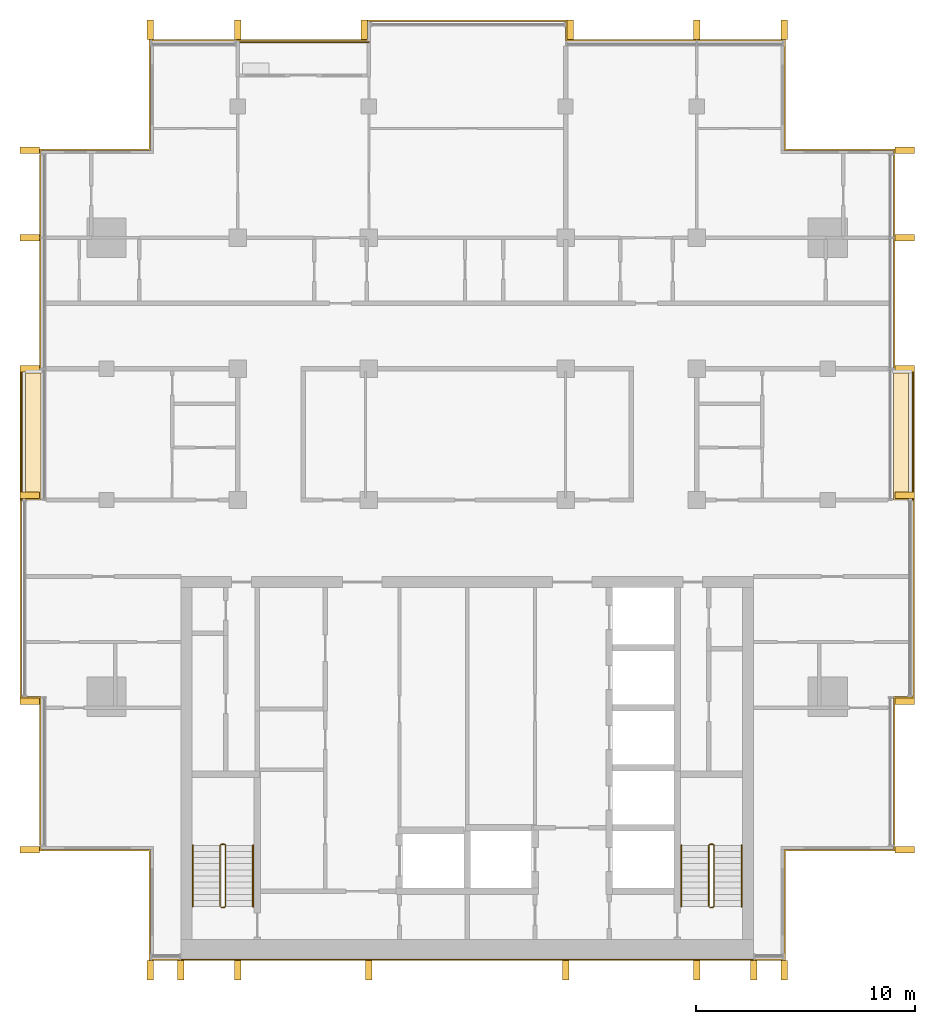
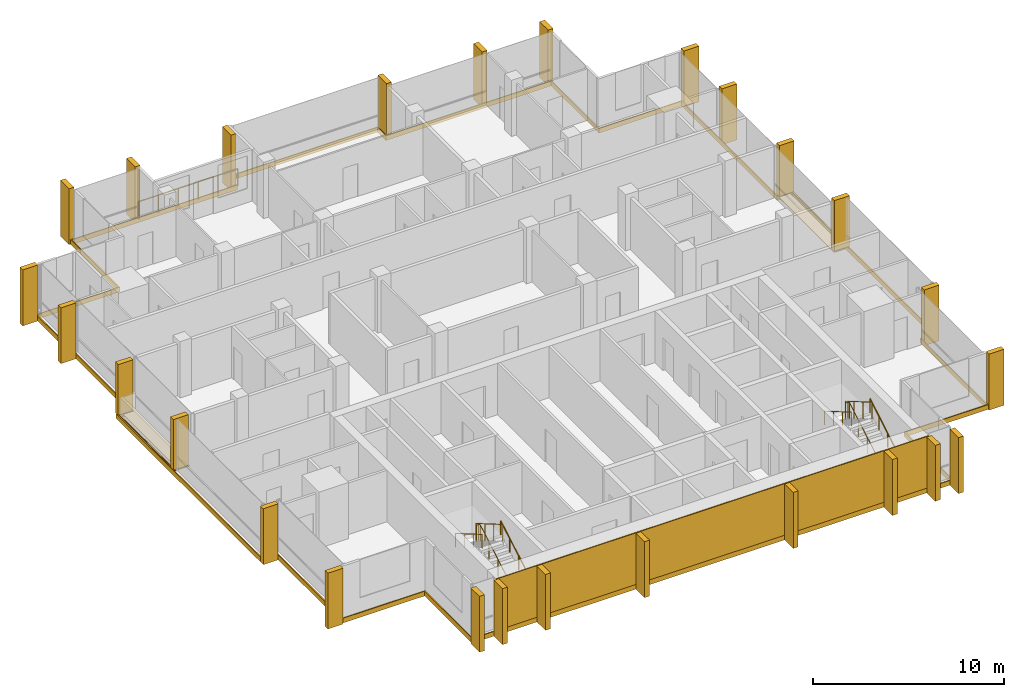
# One storey, part 16 of 16: 26 shading devices, 10 coverings, 7 railings.
"""IFC4 building model written with IfcOpenShell, lengths in metres."""

from ifc_helpers import new_model, si_unit, direction, frame, origin, origin_2d, place, context, subcontext, project, spatial, polyline, rectangle, circle, outline, extrude, material, layer, layer_set, type_object, element, save


model = new_model("IFC4")

# Units and contexts
model_context = context("Model", 3, precision=1e-05, world=origin(), true_north=direction((0.0, 1.0)))
body_context = subcontext(model_context, "Body", "Model", "MODEL_VIEW")
ifc_project = project(units=[si_unit("LENGTHUNIT", "METRE"), si_unit("AREAUNIT", "SQUARE_METRE"), si_unit("VOLUMEUNIT", "CUBIC_METRE"), si_unit("PLANEANGLEUNIT", "RADIAN"), si_unit("MASSUNIT", "GRAM", prefix="KILO")], contexts=[model_context])

# Site, building, storey
site_placement = place(None, origin())
site = spatial("IfcSite", under=ifc_project, at=site_placement, CompositionType="ELEMENT")
building_placement = place(site_placement, origin())
building = spatial("IfcBuilding", under=site, at=building_placement, Name="Finial Court Residences", CompositionType="ELEMENT")
storey_placement = place(building_placement, frame((0.0, 0.0, 277.10009765625)))
storey = spatial("IfcBuildingStorey", under=building, at=storey_placement, Name="L70", CompositionType="ELEMENT", Elevation=277.10009765625)

# Railing
ifc_material_1 = material(Name="Bronze anodised aluminium", Category="aluminium")
railing_type_1 = type_object("IfcRailingType", Name="Balcony guard 1100", PredefinedType="GUARDRAIL", material=ifc_material_1)
railing_1_placement = place(storey_placement, frame((-10.5, 16.449951171875, 0.0)))
element("IfcRailing", 1, at=railing_1_placement, inside=storey, type_object=railing_type_1, Name="E-L70-BALN2-R", PredefinedType="GUARDRAIL", context=body_context, shape_type="SweptSolid", body=[
    extrude(circle(Radius=0.02392578125, at=origin_2d()), frame((0.0, 0.0, 1.076171875), z_axis=(1.0, 0.0, 0.0), x_axis=(0.0, 1.0, 0.0)), (0.0, 0.0, 1.0), 6.0),
    extrude(circle(Radius=0.02099609375, at=origin_2d()), origin(), (0.0, 0.0, 1.0), 1.052001953125),
    extrude(circle(Radius=0.02099609375, at=origin_2d()), frame((1.199951171875, 0.0, 0.0)), (0.0, 0.0, 1.0), 1.052001953125),
    extrude(circle(Radius=0.02099609375, at=origin_2d()), frame((2.39990234375, 0.0, 0.0)), (0.0, 0.0, 1.0), 1.052001953125),
    extrude(circle(Radius=0.02099609375, at=origin_2d()), frame((3.60009765625, 0.0, 0.0)), (0.0, 0.0, 1.0), 1.052001953125),
    extrude(circle(Radius=0.02099609375, at=origin_2d()), frame((4.800048828125, 0.0, 0.0)), (0.0, 0.0, 1.0), 1.052001953125),
    extrude(circle(Radius=0.02099609375, at=origin_2d()), frame((6.0, 0.0, 0.0)), (0.0, 0.0, 1.0), 1.052001953125),
])

# Coverings
ifc_material_2 = material(Name="Natural limestone", Category="masonry")
ifc_layer_1 = layer(ifc_material_2, 0.06005859375)
ifc_layer_set_1 = layer_set([ifc_layer_1], Name="Limestone cladding to the blind core face 60")
covering_type_1 = type_object("IfcCoveringType", Name="Limestone cladding to the blind core face 60", PredefinedType="CLADDING", material=ifc_layer_set_1)
covering_1_placement = place(storey_placement, origin())
element("IfcCovering", 2, at=covering_1_placement, inside=storey, type_object=covering_type_1, Name="E-L70-CLAD1", PredefinedType="CLADDING", context=body_context, shape_type="SweptSolid", body=[
    extrude(outline(polyline([(-10.5, -25.56005859375), (-10.5, -25.5), (-13.10009765625, -25.5), (-13.10009765625, -25.56005859375), (-10.5, -25.56005859375)])), origin(), (0.0, 0.0, 1.0), 3.2998046875),
])
covering_2_placement = place(storey_placement, origin())
element("IfcCovering", 3, at=covering_2_placement, inside=storey, type_object=covering_type_1, Name="E-L70-CLAD2", PredefinedType="CLADDING", context=body_context, shape_type="SweptSolid", body=[
    extrude(outline(polyline([(-4.5, -25.56005859375), (-4.5, -25.5), (-10.5, -25.5), (-10.5, -25.56005859375), (-4.5, -25.56005859375)])), origin(), (0.0, 0.0, 1.0), 3.2998046875),
])
covering_3_placement = place(storey_placement, origin())
element("IfcCovering", 4, at=covering_3_placement, inside=storey, type_object=covering_type_1, Name="E-L70-CLAD3", PredefinedType="CLADDING", context=body_context, shape_type="SweptSolid", body=[
    extrude(outline(polyline([(4.5, -25.56005859375), (4.5, -25.5), (-4.5, -25.5), (-4.5, -25.56005859375), (4.5, -25.56005859375)])), origin(), (0.0, 0.0, 1.0), 3.2998046875),
])
covering_4_placement = place(storey_placement, origin())
element("IfcCovering", 5, at=covering_4_placement, inside=storey, type_object=covering_type_1, Name="E-L70-CLAD4", PredefinedType="CLADDING", context=body_context, shape_type="SweptSolid", body=[
    extrude(outline(polyline([(10.5, -25.56005859375), (10.5, -25.5), (4.5, -25.5), (4.5, -25.56005859375), (10.5, -25.56005859375)])), origin(), (0.0, 0.0, 1.0), 3.2998046875),
])
covering_5_placement = place(storey_placement, origin())
element("IfcCovering", 6, at=covering_5_placement, inside=storey, type_object=covering_type_1, Name="E-L70-CLAD5", PredefinedType="CLADDING", context=body_context, shape_type="SweptSolid", body=[
    extrude(outline(polyline([(13.10009765625, -25.56005859375), (13.10009765625, -25.5), (10.5, -25.5), (10.5, -25.56005859375), (13.10009765625, -25.56005859375)])), origin(), (0.0, 0.0, 1.0), 3.2998046875),
])

# Shading devices
shading_device_type = type_object("IfcShadingDeviceType", Name="Limestone fin 300 x 900", PredefinedType="USERDEFINED", material=ifc_material_2)
for number, where, z_axis, x_axis, name in (
    (7, (-14.5, 17.010009765625, -0.300048828125), (0.0, 0.0, 1.0), (1.0, 0.0, 0.0), "E-L70-FIN-N1"),
    (8, (-10.5, 17.010009765625, -0.300048828125), (0.0, 0.0, 1.0), (1.0, 0.0, 0.0), "E-L70-FIN-N2"),
    (9, (-4.7099609375, 17.010009765625, -0.300048828125), (0.0, 0.0, 1.0), (1.0, 0.0, 0.0), "E-L70-FIN-N3"),
    (10, (4.7099609375, 17.010009765625, -0.300048828125), (0.0, 0.0, 1.0), (1.0, 0.0, 0.0), "E-L70-FIN-N4"),
    (11, (10.5, 17.010009765625, -0.300048828125), (0.0, 0.0, 1.0), (1.0, 0.0, 0.0), "E-L70-FIN-N5"),
    (12, (14.5, 17.010009765625, -0.300048828125), (0.0, 0.0, 1.0), (1.0, 0.0, 0.0), "E-L70-FIN-N6"),
):
    element("IfcShadingDevice", number, at=place(storey_placement, frame(where, z_axis=z_axis, x_axis=x_axis)), inside=storey, type_object=shading_device_type, Name=name, ObjectType="FIN", PredefinedType="USERDEFINED", context=body_context, shape_type="SweptSolid", body=[
        extrude(rectangle(XDim=0.300048828125, YDim=0.89990234375, at=origin_2d()), origin(), (0.0, 0.0, 1.0), 3.580078125),
    ])
for number, where, z_axis, x_axis, name in (
    (13, (20.010009765625, -20.5, -0.300048828125), (0.0, 0.0, 1.0), (1.0, 0.0, 0.0), "E-L70-FIN-E7"),
    (14, (20.010009765625, -13.7099609375, -0.300048828125), (0.0, 0.0, 1.0), (1.0, 0.0, 0.0), "E-L70-FIN-E8"),
):
    element("IfcShadingDevice", number, at=place(storey_placement, frame(where, z_axis=z_axis, x_axis=x_axis)), inside=storey, type_object=shading_device_type, Name=name, ObjectType="FIN", PredefinedType="USERDEFINED", context=body_context, shape_type="SweptSolid", body=[
        extrude(rectangle(XDim=0.89990234375, YDim=0.300048828125, at=origin_2d()), origin(), (0.0, 0.0, 1.0), 3.580078125),
    ])
for number, where, z_axis, x_axis, name in (
    (15, (20.010009765625, -4.2900390625, 0.0400390625), (0.0, 0.0, 1.0), (1.0, 0.0, 0.0), "E-L70-FIN-E9"),
    (16, (20.010009765625, 1.5, 0.0400390625), (0.0, 0.0, 1.0), (1.0, 0.0, 0.0), "E-L70-FIN-E10"),
):
    element("IfcShadingDevice", number, at=place(storey_placement, frame(where, z_axis=z_axis, x_axis=x_axis)), inside=storey, type_object=shading_device_type, Name=name, ObjectType="FIN", PredefinedType="USERDEFINED", context=body_context, shape_type="SweptSolid", body=[
        extrude(rectangle(XDim=0.89990234375, YDim=0.300048828125, at=origin_2d()), origin(), (0.0, 0.0, 1.0), 3.239990234375),
    ])
for number, where, z_axis, x_axis, name in (
    (17, (20.010009765625, 7.5, -0.300048828125), (0.0, 0.0, 1.0), (1.0, 0.0, 0.0), "E-L70-FIN-E11"),
    (18, (20.010009765625, 11.5, -0.300048828125), (0.0, 0.0, 1.0), (1.0, 0.0, 0.0), "E-L70-FIN-E12"),
):
    element("IfcShadingDevice", number, at=place(storey_placement, frame(where, z_axis=z_axis, x_axis=x_axis)), inside=storey, type_object=shading_device_type, Name=name, ObjectType="FIN", PredefinedType="USERDEFINED", context=body_context, shape_type="SweptSolid", body=[
        extrude(rectangle(XDim=0.89990234375, YDim=0.300048828125, at=origin_2d()), origin(), (0.0, 0.0, 1.0), 3.580078125),
    ])
for number, where, z_axis, x_axis, name in (
    (19, (-14.5, -26.010009765625, -0.300048828125), (0.0, 0.0, 1.0), (1.0, 0.0, 0.0), "E-L70-FIN-S13"),
    (20, (-13.10009765625, -26.010009765625, -0.300048828125), (0.0, 0.0, 1.0), (1.0, 0.0, 0.0), "E-L70-FIN-S14"),
    (21, (-10.5, -26.010009765625, -0.300048828125), (0.0, 0.0, 1.0), (1.0, 0.0, 0.0), "E-L70-FIN-S15"),
    (22, (-4.5, -26.010009765625, -0.300048828125), (0.0, 0.0, 1.0), (1.0, 0.0, 0.0), "E-L70-FIN-S16"),
    (23, (4.5, -26.010009765625, -0.300048828125), (0.0, 0.0, 1.0), (1.0, 0.0, 0.0), "E-L70-FIN-S17"),
    (24, (10.5, -26.010009765625, -0.300048828125), (0.0, 0.0, 1.0), (1.0, 0.0, 0.0), "E-L70-FIN-S18"),
    (25, (13.10009765625, -26.010009765625, -0.300048828125), (0.0, 0.0, 1.0), (1.0, 0.0, 0.0), "E-L70-FIN-S19"),
    (26, (14.5, -26.010009765625, -0.300048828125), (0.0, 0.0, 1.0), (1.0, 0.0, 0.0), "E-L70-FIN-S20"),
):
    element("IfcShadingDevice", number, at=place(storey_placement, frame(where, z_axis=z_axis, x_axis=x_axis)), inside=storey, type_object=shading_device_type, Name=name, ObjectType="FIN", PredefinedType="USERDEFINED", context=body_context, shape_type="SweptSolid", body=[
        extrude(rectangle(XDim=0.300048828125, YDim=0.89990234375, at=origin_2d()), origin(), (0.0, 0.0, 1.0), 3.580078125),
    ])
for number, where, z_axis, x_axis, name in (
    (27, (-20.010009765625, -20.5, -0.300048828125), (0.0, 0.0, 1.0), (1.0, 0.0, 0.0), "E-L70-FIN-W21"),
    (28, (-20.010009765625, -13.7099609375, -0.300048828125), (0.0, 0.0, 1.0), (1.0, 0.0, 0.0), "E-L70-FIN-W22"),
):
    element("IfcShadingDevice", number, at=place(storey_placement, frame(where, z_axis=z_axis, x_axis=x_axis)), inside=storey, type_object=shading_device_type, Name=name, ObjectType="FIN", PredefinedType="USERDEFINED", context=body_context, shape_type="SweptSolid", body=[
        extrude(rectangle(XDim=0.89990234375, YDim=0.300048828125, at=origin_2d()), origin(), (0.0, 0.0, 1.0), 3.580078125),
    ])
for number, where, z_axis, x_axis, name in (
    (29, (-20.010009765625, -4.2900390625, 0.0400390625), (0.0, 0.0, 1.0), (1.0, 0.0, 0.0), "E-L70-FIN-W23"),
    (30, (-20.010009765625, 1.5, 0.0400390625), (0.0, 0.0, 1.0), (1.0, 0.0, 0.0), "E-L70-FIN-W24"),
):
    element("IfcShadingDevice", number, at=place(storey_placement, frame(where, z_axis=z_axis, x_axis=x_axis)), inside=storey, type_object=shading_device_type, Name=name, ObjectType="FIN", PredefinedType="USERDEFINED", context=body_context, shape_type="SweptSolid", body=[
        extrude(rectangle(XDim=0.89990234375, YDim=0.300048828125, at=origin_2d()), origin(), (0.0, 0.0, 1.0), 3.239990234375),
    ])
for number, where, z_axis, x_axis, name in (
    (31, (-20.010009765625, 7.5, -0.300048828125), (0.0, 0.0, 1.0), (1.0, 0.0, 0.0), "E-L70-FIN-W25"),
    (32, (-20.010009765625, 11.5, -0.300048828125), (0.0, 0.0, 1.0), (1.0, 0.0, 0.0), "E-L70-FIN-W26"),
):
    element("IfcShadingDevice", number, at=place(storey_placement, frame(where, z_axis=z_axis, x_axis=x_axis)), inside=storey, type_object=shading_device_type, Name=name, ObjectType="FIN", PredefinedType="USERDEFINED", context=body_context, shape_type="SweptSolid", body=[
        extrude(rectangle(XDim=0.89990234375, YDim=0.300048828125, at=origin_2d()), origin(), (0.0, 0.0, 1.0), 3.580078125),
    ])

# Coverings
ifc_material_3 = material(Name="Pale limestone", Category="masonry")
ifc_layer_2 = layer(ifc_material_3, 0.06005859375)
ifc_layer_set_2 = layer_set([ifc_layer_2], Name="Pale limestone slab-edge band 60")
covering_type_2 = type_object("IfcCoveringType", Name="Pale limestone slab-edge band 60", PredefinedType="CLADDING", material=ifc_layer_set_2)
covering_6_placement = place(storey_placement, frame((0.0, 0.0, -0.300048828125)))
element("IfcCovering", 33, at=covering_6_placement, inside=storey, type_object=covering_type_2, Name="E-L70-BAND1", PredefinedType="CLADDING", context=body_context, shape_type="SweptSolid", body=[
    extrude(outline(polyline([(-14.56005859375, 16.56005859375), (-4.56005859375, 16.56005859375), (-4.56005859375, 17.4599609375), (4.56005859375, 17.4599609375), (4.56005859375, 16.56005859375), (14.56005859375, 16.56005859375), (14.56005859375, 11.56005859375), (19.56005859375, 11.56005859375), (19.56005859375, 1.56005859375), (20.4599609375, 1.56005859375), (20.4599609375, -13.56005859375), (19.56005859375, -13.56005859375), (19.56005859375, -20.56005859375), (14.56005859375, -20.56005859375), (14.56005859375, -25.56005859375), (-14.56005859375, -25.56005859375), (-14.56005859375, -20.56005859375), (-19.56005859375, -20.56005859375), (-19.56005859375, -13.56005859375), (-20.4599609375, -13.56005859375), (-20.4599609375, 1.56005859375), (-19.56005859375, 1.56005859375), (-19.56005859375, 11.56005859375), (-14.56005859375, 11.56005859375), (-14.56005859375, 16.56005859375)]), holes=[polyline([(-19.5, 11.5), (-19.5, 1.5), (-20.39990234375, 1.5), (-20.39990234375, -4.5), (-20.39990234375, -13.5), (-19.5, -13.5), (-19.5, -20.5), (-14.5, -20.5), (-14.5, -25.5), (14.5, -25.5), (14.5, -20.5), (19.5, -20.5), (19.5, -13.5), (20.39990234375, -13.5), (20.39990234375, -4.5), (20.39990234375, 1.5), (19.5, 1.5), (19.5, 11.5), (14.5, 11.5), (14.5, 16.5), (4.5, 16.5), (4.5, 17.39990234375), (-4.5, 17.39990234375), (-4.5, 16.5), (-10.5, 16.5), (-14.5, 16.5), (-14.5, 11.5), (-19.5, 11.5)])]), origin(), (0.0, 0.0, 1.0), 0.300048828125),
])
ifc_material_4 = material(Name="Bitumen membrane")
ifc_layer_3 = layer(ifc_material_4, 0.0400390625)
ifc_layer_set_3 = layer_set([ifc_layer_3], Name="Push box roofing, bitumen membrane 40")
covering_type_3 = type_object("IfcCoveringType", Name="Push box roofing, bitumen membrane 40", PredefinedType="ROOFING", material=ifc_layer_set_3)
covering_7_placement = place(storey_placement, origin())
element("IfcCovering", 34, at=covering_7_placement, inside=storey, type_object=covering_type_3, Name="E-L70-LED1", PredefinedType="ROOFING", context=body_context, shape_type="SweptSolid", body=[
    extrude(outline(polyline([(-19.5, 1.449951171875), (-20.199951171875, 1.449951171875), (-20.35009765625, 1.449951171875), (-20.35009765625, -4.5), (-20.39990234375, -4.5), (-20.39990234375, 1.5), (-19.5, 1.5), (-19.5, 1.449951171875)])), origin(), (0.0, 0.0, 1.0), 0.039794921875),
])
covering_8_placement = place(storey_placement, origin())
element("IfcCovering", 35, at=covering_8_placement, inside=storey, type_object=covering_type_3, Name="E-L70-LED1b", PredefinedType="ROOFING", context=body_context, shape_type="SweptSolid", body=[
    extrude(outline(polyline([(-19.5, -4.5), (-20.199951171875, -4.5), (-20.199951171875, 1.300048828125), (-19.5, 1.300048828125), (-19.5, -4.5)])), origin(), (0.0, 0.0, 1.0), 0.039794921875),
])
covering_9_placement = place(storey_placement, origin())
element("IfcCovering", 36, at=covering_9_placement, inside=storey, type_object=covering_type_3, Name="E-L70-LED2", PredefinedType="ROOFING", context=body_context, shape_type="SweptSolid", body=[
    extrude(outline(polyline([(19.5, 1.300048828125), (20.199951171875, 1.300048828125), (20.199951171875, -4.5), (19.5, -4.5), (19.5, 1.300048828125)])), origin(), (0.0, 0.0, 1.0), 0.039794921875),
])
covering_10_placement = place(storey_placement, origin())
element("IfcCovering", 37, at=covering_10_placement, inside=storey, type_object=covering_type_3, Name="E-L70-LED2b", PredefinedType="ROOFING", context=body_context, shape_type="SweptSolid", body=[
    extrude(outline(polyline([(19.5, 1.5), (20.39990234375, 1.5), (20.39990234375, -4.5), (20.35009765625, -4.5), (20.35009765625, 1.300048828125), (20.35009765625, 1.300048828125), (20.35009765625, 1.449951171875), (19.5, 1.449951171875), (19.5, 1.5)])), origin(), (0.0, 0.0, 1.0), 0.039794921875),
])

# Railings
ifc_material_5 = material(Name="Stainless steel railing", Category="steel")
railing_type_2 = type_object("IfcRailingType", Name="Stair guard 1100", PredefinedType="GUARDRAIL", material=ifc_material_5)
railing_2_placement = place(storey_placement, frame((-11.10009765625, -23.14990234375, 0.0)))
element("IfcRailing", 38, at=railing_2_placement, inside=storey, type_object=railing_type_2, Name="L70 ST-1 stair guard 1", PredefinedType="GUARDRAIL", context=body_context, shape_type="SweptSolid", body=[
    extrude(circle(Radius=0.02392578125, at=origin_2d()), frame((0.0, 0.0, 1.076171875), z_axis=(-1.0, 0.0, 0.0), x_axis=(0.0, -1.0, 0.0)), (0.0, 0.0, 1.0), 0.14990234375),
    extrude(circle(Radius=0.02392578125, at=origin_2d()), frame((-0.14990234375, 0.0, 1.076171875), z_axis=(0.760004195007, 0.189305074214, 0.621737253547), x_axis=(-0.241699205484, 0.970351222016, 0.0)), (0.0, 0.0, 1.0), 0.26318359375),
    extrude(circle(Radius=0.02392578125, at=origin_2d()), frame((0.050048828125, 0.0498046875, 1.23974609375), z_axis=(0.0, 0.863393664356, 0.504530851732), x_axis=(-1.0, 0.0, 0.0)), (0.0, 0.0, 1.0), 3.2431640625),
    extrude(circle(Radius=0.02392578125, at=origin_2d()), frame((0.050048828125, 2.849853515625, 2.8759765625), z_axis=(-0.707106781187, 0.707106781187, 0.0), x_axis=(-0.707106781187, -0.707106781187, 0.0)), (0.0, 0.0, 1.0), 0.07080078125),
    extrude(circle(Radius=0.02392578125, at=origin_2d()), frame((0.0, 2.89990234375, 2.8759765625), z_axis=(-1.0, 0.0, 0.0), x_axis=(0.0, -1.0, 0.0)), (0.0, 0.0, 1.0), 0.14990234375),
    extrude(circle(Radius=0.02392578125, at=origin_2d()), frame((-0.14990234375, 2.89990234375, 2.8759765625), z_axis=(-0.280456126637, -0.280456126637, 0.917980785237), x_axis=(0.707106781187, -0.707106781187, 0.0)), (0.0, 0.0, 1.0), 0.178466796875),
    extrude(circle(Radius=0.02392578125, at=origin_2d()), frame((-0.199951171875, 2.849853515625, 3.03955078125), z_axis=(0.0, -0.863393664356, 0.504530851732), x_axis=(1.0, 0.0, 0.0)), (0.0, 0.0, 1.0), 3.2431640625),
    extrude(circle(Radius=0.02099609375, at=origin_2d()), origin(), (0.0, 0.0, 1.0), 1.052001953125),
    extrude(circle(Radius=0.02099609375, at=origin_2d()), frame((-0.14990234375, 0.0, 0.0)), (0.0, 0.0, 1.0), 1.052001953125),
    extrude(circle(Radius=0.02099609375, at=origin_2d()), frame((0.050048828125, 0.0498046875, 0.16357421875)), (0.0, 0.0, 1.0), 1.052001953125),
    extrude(circle(Radius=0.02099609375, at=origin_2d()), frame((0.050048828125, 0.983154296875, 0.708984375)), (0.0, 0.0, 1.0), 1.052001953125),
    extrude(circle(Radius=0.02099609375, at=origin_2d()), frame((0.050048828125, 1.91650390625, 1.25439453125)), (0.0, 0.0, 1.0), 1.052001953125),
    extrude(circle(Radius=0.02099609375, at=origin_2d()), frame((0.050048828125, 2.849853515625, 1.7998046875)), (0.0, 0.0, 1.0), 1.052001953125),
    extrude(circle(Radius=0.02099609375, at=origin_2d()), frame((0.0, 2.89990234375, 1.7998046875)), (0.0, 0.0, 1.0), 1.052001953125),
    extrude(circle(Radius=0.02099609375, at=origin_2d()), frame((-0.14990234375, 2.89990234375, 1.7998046875)), (0.0, 0.0, 1.0), 1.052001953125),
    extrude(circle(Radius=0.02099609375, at=origin_2d()), frame((-0.199951171875, 2.849853515625, 1.963623046875)), (0.0, 0.0, 1.0), 1.052001953125),
    extrude(circle(Radius=0.02099609375, at=origin_2d()), frame((-0.199951171875, 1.91650390625, 2.509033203125)), (0.0, 0.0, 1.0), 1.052001953125),
    extrude(circle(Radius=0.02099609375, at=origin_2d()), frame((-0.199951171875, 0.983154296875, 3.054443359375)), (0.0, 0.0, 1.0), 1.052001953125),
    extrude(circle(Radius=0.02099609375, at=origin_2d()), frame((-0.199951171875, 0.0498046875, 3.599853515625)), (0.0, 0.0, 1.0), 1.052001953125),
])
railing_3_placement = place(storey_placement, frame((11.25, -23.14990234375, 0.0)))
element("IfcRailing", 39, at=railing_3_placement, inside=storey, type_object=railing_type_2, Name="L70 ST-2 stair guard 1", PredefinedType="GUARDRAIL", context=body_context, shape_type="SweptSolid", body=[
    extrude(circle(Radius=0.02392578125, at=origin_2d()), frame((0.0, 0.0, 1.076171875), z_axis=(-1.0, 0.0, 0.0), x_axis=(0.0, -1.0, 0.0)), (0.0, 0.0, 1.0), 0.14990234375),
    extrude(circle(Radius=0.02392578125, at=origin_2d()), frame((-0.14990234375, 0.0, 1.076171875), z_axis=(0.760004195007, 0.189305074214, 0.621737253547), x_axis=(-0.241699205484, 0.970351222016, 0.0)), (0.0, 0.0, 1.0), 0.26318359375),
    extrude(circle(Radius=0.02392578125, at=origin_2d()), frame((0.050048828125, 0.0498046875, 1.23974609375), z_axis=(0.0, 0.863393664356, 0.504530851732), x_axis=(-1.0, 0.0, 0.0)), (0.0, 0.0, 1.0), 3.2431640625),
    extrude(circle(Radius=0.02392578125, at=origin_2d()), frame((0.050048828125, 2.849853515625, 2.8759765625), z_axis=(-0.707106781187, 0.707106781187, 0.0), x_axis=(-0.707106781187, -0.707106781187, 0.0)), (0.0, 0.0, 1.0), 0.07080078125),
    extrude(circle(Radius=0.02392578125, at=origin_2d()), frame((0.0, 2.89990234375, 2.8759765625), z_axis=(-1.0, 0.0, 0.0), x_axis=(0.0, -1.0, 0.0)), (0.0, 0.0, 1.0), 0.14990234375),
    extrude(circle(Radius=0.02392578125, at=origin_2d()), frame((-0.14990234375, 2.89990234375, 2.8759765625), z_axis=(-0.280456126637, -0.280456126637, 0.917980785237), x_axis=(0.707106781187, -0.707106781187, 0.0)), (0.0, 0.0, 1.0), 0.178466796875),
    extrude(circle(Radius=0.02392578125, at=origin_2d()), frame((-0.199951171875, 2.849853515625, 3.03955078125), z_axis=(0.0, -0.863393664356, 0.504530851732), x_axis=(1.0, 0.0, 0.0)), (0.0, 0.0, 1.0), 3.2431640625),
    extrude(circle(Radius=0.02099609375, at=origin_2d()), origin(), (0.0, 0.0, 1.0), 1.052001953125),
    extrude(circle(Radius=0.02099609375, at=origin_2d()), frame((-0.14990234375, 0.0, 0.0)), (0.0, 0.0, 1.0), 1.052001953125),
    extrude(circle(Radius=0.02099609375, at=origin_2d()), frame((0.050048828125, 0.0498046875, 0.16357421875)), (0.0, 0.0, 1.0), 1.052001953125),
    extrude(circle(Radius=0.02099609375, at=origin_2d()), frame((0.050048828125, 0.983154296875, 0.708984375)), (0.0, 0.0, 1.0), 1.052001953125),
    extrude(circle(Radius=0.02099609375, at=origin_2d()), frame((0.050048828125, 1.91650390625, 1.25439453125)), (0.0, 0.0, 1.0), 1.052001953125),
    extrude(circle(Radius=0.02099609375, at=origin_2d()), frame((0.050048828125, 2.849853515625, 1.7998046875)), (0.0, 0.0, 1.0), 1.052001953125),
    extrude(circle(Radius=0.02099609375, at=origin_2d()), frame((0.0, 2.89990234375, 1.7998046875)), (0.0, 0.0, 1.0), 1.052001953125),
    extrude(circle(Radius=0.02099609375, at=origin_2d()), frame((-0.14990234375, 2.89990234375, 1.7998046875)), (0.0, 0.0, 1.0), 1.052001953125),
    extrude(circle(Radius=0.02099609375, at=origin_2d()), frame((-0.199951171875, 2.849853515625, 1.963623046875)), (0.0, 0.0, 1.0), 1.052001953125),
    extrude(circle(Radius=0.02099609375, at=origin_2d()), frame((-0.199951171875, 1.91650390625, 2.509033203125)), (0.0, 0.0, 1.0), 1.052001953125),
    extrude(circle(Radius=0.02099609375, at=origin_2d()), frame((-0.199951171875, 0.983154296875, 3.054443359375)), (0.0, 0.0, 1.0), 1.052001953125),
    extrude(circle(Radius=0.02099609375, at=origin_2d()), frame((-0.199951171875, 0.0498046875, 3.599853515625)), (0.0, 0.0, 1.0), 1.052001953125),
])
railing_type_3 = type_object("IfcRailingType", Name="Stair handrail 900", PredefinedType="HANDRAIL", material=ifc_material_5)
railing_4_placement = place(storey_placement, frame((-9.800048828125, -23.10009765625, 0.16357421875)))
element("IfcRailing", 40, at=railing_4_placement, inside=storey, type_object=railing_type_3, Name="L70 ST-1 stair handrail 1", PredefinedType="HANDRAIL", context=body_context, shape_type="SweptSolid", body=[
    extrude(circle(Radius=0.02392578125, at=origin_2d()), frame((0.0, 0.0, 0.8759765625), z_axis=(0.0, 0.863393664356, 0.504530851732), x_axis=(-1.0, 0.0, 0.0)), (0.0, 0.0, 1.0), 3.2431640625),
    extrude(circle(Radius=0.02099609375, at=origin_2d()), origin(), (0.0, 0.0, 1.0), 0.851806640625),
    extrude(circle(Radius=0.02099609375, at=origin_2d()), frame((0.0, 0.933349609375, 0.54541015625)), (0.0, 0.0, 1.0), 0.851806640625),
    extrude(circle(Radius=0.02099609375, at=origin_2d()), frame((0.0, 1.86669921875, 1.0908203125)), (0.0, 0.0, 1.0), 0.851806640625),
    extrude(circle(Radius=0.02099609375, at=origin_2d()), frame((0.0, 2.800048828125, 1.63623046875)), (0.0, 0.0, 1.0), 0.851806640625),
])
railing_5_placement = place(storey_placement, frame((-12.550048828125, -20.300048828125, 1.963623046875)))
element("IfcRailing", 41, at=railing_5_placement, inside=storey, type_object=railing_type_3, Name="L70 ST-1 stair handrail 2", PredefinedType="HANDRAIL", context=body_context, shape_type="SweptSolid", body=[
    extrude(circle(Radius=0.02392578125, at=origin_2d()), frame((0.0, 0.0, 0.8759765625), z_axis=(0.0, -0.863393664356, 0.504530851732), x_axis=(1.0, 0.0, 0.0)), (0.0, 0.0, 1.0), 3.2431640625),
    extrude(circle(Radius=0.02099609375, at=origin_2d()), origin(), (0.0, 0.0, 1.0), 0.851806640625),
    extrude(circle(Radius=0.02099609375, at=origin_2d()), frame((0.0, -0.933349609375, 0.54541015625)), (0.0, 0.0, 1.0), 0.851806640625),
    extrude(circle(Radius=0.02099609375, at=origin_2d()), frame((0.0, -1.86669921875, 1.0908203125)), (0.0, 0.0, 1.0), 0.851806640625),
    extrude(circle(Radius=0.02099609375, at=origin_2d()), frame((0.0, -2.800048828125, 1.63623046875)), (0.0, 0.0, 1.0), 0.851806640625),
])
railing_6_placement = place(storey_placement, frame((12.550048828125, -23.10009765625, 0.16357421875)))
element("IfcRailing", 42, at=railing_6_placement, inside=storey, type_object=railing_type_3, Name="L70 ST-2 stair handrail 1", PredefinedType="HANDRAIL", context=body_context, shape_type="SweptSolid", body=[
    extrude(circle(Radius=0.02392578125, at=origin_2d()), frame((0.0, 0.0, 0.8759765625), z_axis=(0.0, 0.863393664356, 0.504530851732), x_axis=(-1.0, 0.0, 0.0)), (0.0, 0.0, 1.0), 3.2431640625),
    extrude(circle(Radius=0.02099609375, at=origin_2d()), origin(), (0.0, 0.0, 1.0), 0.851806640625),
    extrude(circle(Radius=0.02099609375, at=origin_2d()), frame((0.0, 0.933349609375, 0.54541015625)), (0.0, 0.0, 1.0), 0.851806640625),
    extrude(circle(Radius=0.02099609375, at=origin_2d()), frame((0.0, 1.86669921875, 1.0908203125)), (0.0, 0.0, 1.0), 0.851806640625),
    extrude(circle(Radius=0.02099609375, at=origin_2d()), frame((0.0, 2.800048828125, 1.63623046875)), (0.0, 0.0, 1.0), 0.851806640625),
])
railing_7_placement = place(storey_placement, frame((9.800048828125, -20.300048828125, 1.963623046875)))
element("IfcRailing", 43, at=railing_7_placement, inside=storey, type_object=railing_type_3, Name="L70 ST-2 stair handrail 2", PredefinedType="HANDRAIL", context=body_context, shape_type="SweptSolid", body=[
    extrude(circle(Radius=0.02392578125, at=origin_2d()), frame((0.0, 0.0, 0.8759765625), z_axis=(0.0, -0.863393664356, 0.504530851732), x_axis=(1.0, 0.0, 0.0)), (0.0, 0.0, 1.0), 3.2431640625),
    extrude(circle(Radius=0.02099609375, at=origin_2d()), origin(), (0.0, 0.0, 1.0), 0.851806640625),
    extrude(circle(Radius=0.02099609375, at=origin_2d()), frame((0.0, -0.933349609375, 0.54541015625)), (0.0, 0.0, 1.0), 0.851806640625),
    extrude(circle(Radius=0.02099609375, at=origin_2d()), frame((0.0, -1.86669921875, 1.0908203125)), (0.0, 0.0, 1.0), 0.851806640625),
    extrude(circle(Radius=0.02099609375, at=origin_2d()), frame((0.0, -2.800048828125, 1.63623046875)), (0.0, 0.0, 1.0), 0.851806640625),
])

save(model, "model.ifc")
